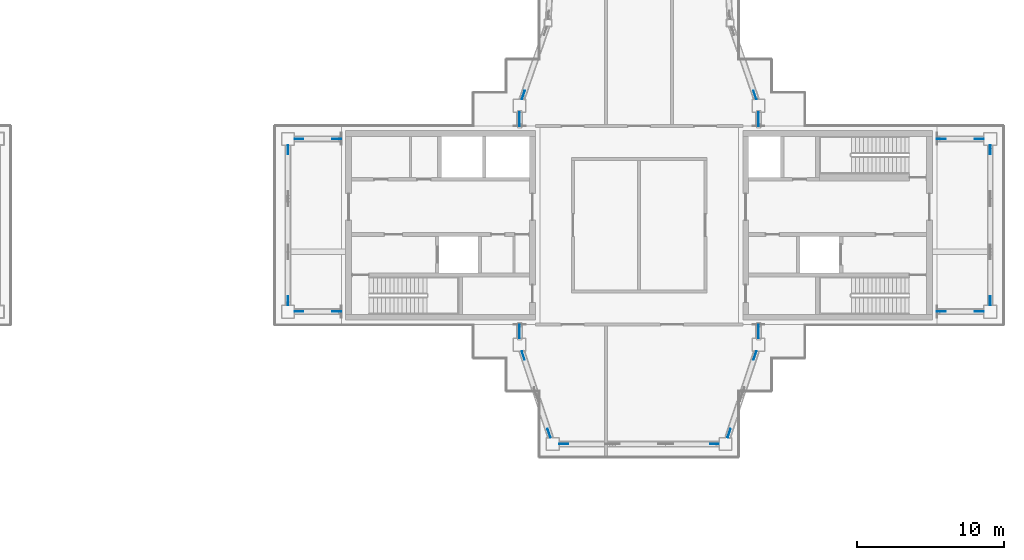
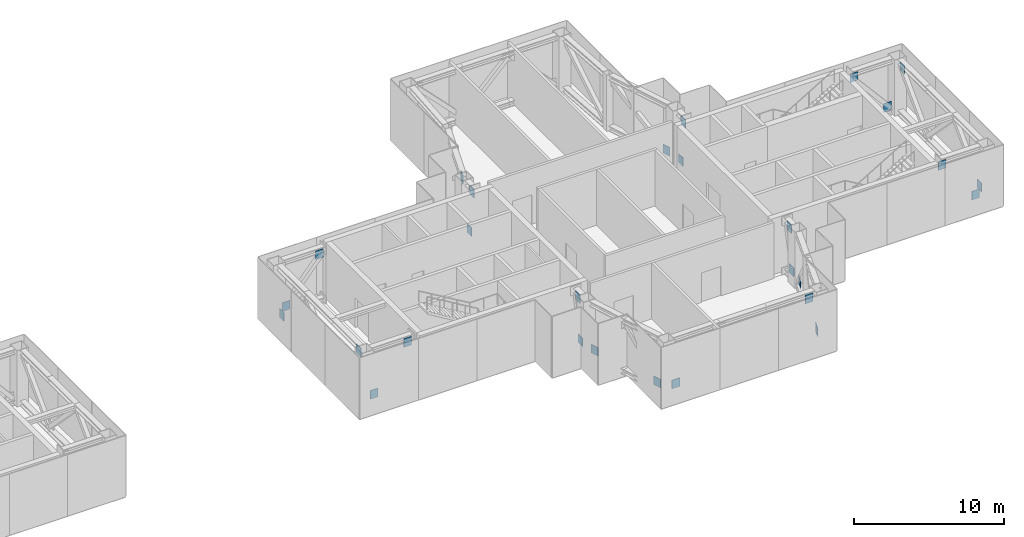
# One storey, part 15 of 18: 28 discrete accessories.
"""IFC4 building model written with IfcOpenShell, lengths in metres."""

from ifc_helpers import new_model, si_unit, direction, frame, origin, origin_2d, place, context, subcontext, project, spatial, rectangle, extrude, material, layer, layer_set, type_object, element, save


model = new_model("IFC4")

# Units and contexts
model_context = context("Model", 3, precision=1e-05, world=origin(), true_north=direction((0.0, 1.0)))
body_context = subcontext(model_context, "Body", "Model", "MODEL_VIEW")
ifc_project = project(units=[si_unit("LENGTHUNIT", "METRE"), si_unit("AREAUNIT", "SQUARE_METRE"), si_unit("VOLUMEUNIT", "CUBIC_METRE"), si_unit("PLANEANGLEUNIT", "RADIAN"), si_unit("MASSUNIT", "GRAM", prefix="KILO")], contexts=[model_context])

# Site, building, storey
site_placement = place(None, origin())
site = spatial("IfcSite", under=ifc_project, at=site_placement, CompositionType="ELEMENT")
building_placement = place(site_placement, origin())
building = spatial("IfcBuilding", under=site, at=building_placement, Name="Shamsa Quay Exchange Towers", CompositionType="ELEMENT")
storey_placement = place(building_placement, frame((0.0, 0.0, 273.300048828125)))
storey = spatial("IfcBuildingStorey", under=building, at=storey_placement, Name="L66", CompositionType="ELEMENT", Elevation=273.300048828125)

# Discrete accessories
ifc_material = material(Name="Steel S355", Category="steel")
ifc_layer = layer(ifc_material, 0.0400390625)
ifc_layer_set = layer_set([ifc_layer], Name="End plate 600x700x40")
discrete_accessory_type = type_object("IfcDiscreteAccessoryType", Name="End plate 600x700x40", PredefinedType="BRACKET", material=ifc_layer_set)
for number, where, name in (
    (1, (10.625, -5.875, 0.26611328125), "End plate T2 L66"),
    (2, (13.199951171875, -5.875, 3.583984375), "End plate T2 L66"),
):
    element("IfcDiscreteAccessory", number, at=place(storey_placement, frame(where)), inside=storey, type_object=discrete_accessory_type, Name=name, PredefinedType="BRACKET", context=body_context, shape_type="SweptSolid", body=[
        extrude(rectangle(XDim=0.60009765625, YDim=0.0400390625, at=origin_2d()), origin(), (0.0, 0.0, 1.0), 0.699951171875),
    ])
for number, where, z_axis, x_axis, name in (
    (3, (25.625, -7.375, 0.26611328125), (0.0, 0.0, 1.0), (0.0, 1.0, 0.0), "End plate T2 L66"),
    (4, (25.625, -7.050048828125, 3.583984375), (0.0, 0.0, 1.0), (0.0, 1.0, 0.0), "End plate T2 L66"),
    (5, (25.869873046875, -8.859619140625, 0.26611328125), (0.0, 0.0, 1.0), (0.316227766018, -0.94868329805, 0.0), "End plate T2 L66"),
    (6, (27.630126953125, -14.140380859375, 0.26611328125), (0.0, 0.0, 1.0), (0.316227766018, -0.94868329805, 0.0), "End plate T2 L66"),
):
    element("IfcDiscreteAccessory", number, at=place(storey_placement, frame(where, z_axis=z_axis, x_axis=x_axis)), inside=storey, type_object=discrete_accessory_type, Name=name, PredefinedType="BRACKET", context=body_context, shape_type="SweptSolid", body=[
        extrude(rectangle(XDim=0.60009765625, YDim=0.0400390625, at=origin_2d()), origin(), (0.0, 0.0, 1.0), 0.699951171875),
    ])
for number, where, name in (
    (7, (28.625, -14.875, 0.26611328125), "End plate T2 L66"),
    (8, (38.875, -14.875, 3.583984375), "End plate T2 L66"),
):
    element("IfcDiscreteAccessory", number, at=place(storey_placement, frame(where)), inside=storey, type_object=discrete_accessory_type, Name=name, PredefinedType="BRACKET", context=body_context, shape_type="SweptSolid", body=[
        extrude(rectangle(XDim=0.60009765625, YDim=0.0400390625, at=origin_2d()), origin(), (0.0, 0.0, 1.0), 0.699951171875),
    ])
for number, where, z_axis, x_axis, name in (
    (9, (39.869873046875, -14.140380859375, 0.26611328125), (0.0, 0.0, 1.0), (0.316227766018, 0.94868329805, 0.0), "End plate T2 L66"),
    (10, (41.630126953125, -8.859619140625, 0.26611328125), (0.0, 0.0, 1.0), (0.316227766018, 0.94868329805, 0.0), "End plate T2 L66"),
    (11, (41.875, -7.375, 0.26611328125), (0.0, 0.0, 1.0), (0.0, 1.0, 0.0), "End plate T2 L66"),
    (12, (41.875, -7.050048828125, 3.583984375), (0.0, 0.0, 1.0), (0.0, 1.0, 0.0), "End plate T2 L66"),
    (13, (56.875, -5.875, 0.26611328125), (0.0, 0.0, 1.0), (-1.0, 0.0, 0.0), "End plate T2 L66"),
    (14, (54.300048828125, -5.875, 3.583984375), (0.0, 0.0, 1.0), (-1.0, 0.0, 0.0), "End plate T2 L66"),
    (15, (57.625, -5.125, 0.26611328125), (0.0, 0.0, 1.0), (0.0, 1.0, 0.0), "End plate T2 L66"),
    (16, (57.625, 5.125, 3.583984375), (0.0, 0.0, 1.0), (0.0, 1.0, 0.0), "End plate T2 L66"),
    (17, (56.875, 5.875, 0.26611328125), (0.0, 0.0, 1.0), (-1.0, 0.0, 0.0), "End plate T2 L66"),
    (18, (54.300048828125, 5.875, 3.583984375), (0.0, 0.0, 1.0), (-1.0, 0.0, 0.0), "End plate T2 L66"),
    (19, (41.875, 7.375, 0.26611328125), (0.0, 0.0, 1.0), (0.0, -1.0, 0.0), "End plate T2 L66"),
    (20, (41.875, 7.050048828125, 3.583984375), (0.0, 0.0, 1.0), (0.0, -1.0, 0.0), "End plate T2 L66"),
    (21, (41.622314453125, 8.858642578125, 0.26611328125), (0.0, 0.0, 1.0), (-0.325666906351, 0.945484566827, 0.0), "End plate T2 L66"),
    (22, (25.877685546875, 8.858642578125, 3.583984375), (0.0, 0.0, 1.0), (-0.325666906351, -0.945484566827, 0.0), "End plate T2 L66"),
    (23, (25.625, 7.375, 0.26611328125), (0.0, 0.0, 1.0), (0.0, -1.0, 0.0), "End plate T2 L66"),
    (24, (25.625, 7.050048828125, 3.583984375), (0.0, 0.0, 1.0), (0.0, -1.0, 0.0), "End plate T2 L66"),
):
    element("IfcDiscreteAccessory", number, at=place(storey_placement, frame(where, z_axis=z_axis, x_axis=x_axis)), inside=storey, type_object=discrete_accessory_type, Name=name, PredefinedType="BRACKET", context=body_context, shape_type="SweptSolid", body=[
        extrude(rectangle(XDim=0.60009765625, YDim=0.0400390625, at=origin_2d()), origin(), (0.0, 0.0, 1.0), 0.699951171875),
    ])
for number, where, name in (
    (25, (10.625, 5.875, 0.26611328125), "End plate T2 L66"),
    (26, (13.199951171875, 5.875, 3.583984375), "End plate T2 L66"),
):
    element("IfcDiscreteAccessory", number, at=place(storey_placement, frame(where)), inside=storey, type_object=discrete_accessory_type, Name=name, PredefinedType="BRACKET", context=body_context, shape_type="SweptSolid", body=[
        extrude(rectangle(XDim=0.60009765625, YDim=0.0400390625, at=origin_2d()), origin(), (0.0, 0.0, 1.0), 0.699951171875),
    ])
for number, where, z_axis, x_axis, name in (
    (27, (9.875, 5.125, 0.26611328125), (0.0, 0.0, 1.0), (0.0, -1.0, 0.0), "End plate T2 L66"),
    (28, (9.875, -5.125, 3.583984375), (0.0, 0.0, 1.0), (0.0, -1.0, 0.0), "End plate T2 L66"),
):
    element("IfcDiscreteAccessory", number, at=place(storey_placement, frame(where, z_axis=z_axis, x_axis=x_axis)), inside=storey, type_object=discrete_accessory_type, Name=name, PredefinedType="BRACKET", context=body_context, shape_type="SweptSolid", body=[
        extrude(rectangle(XDim=0.60009765625, YDim=0.0400390625, at=origin_2d()), origin(), (0.0, 0.0, 1.0), 0.699951171875),
    ])

save(model, "model.ifc")
